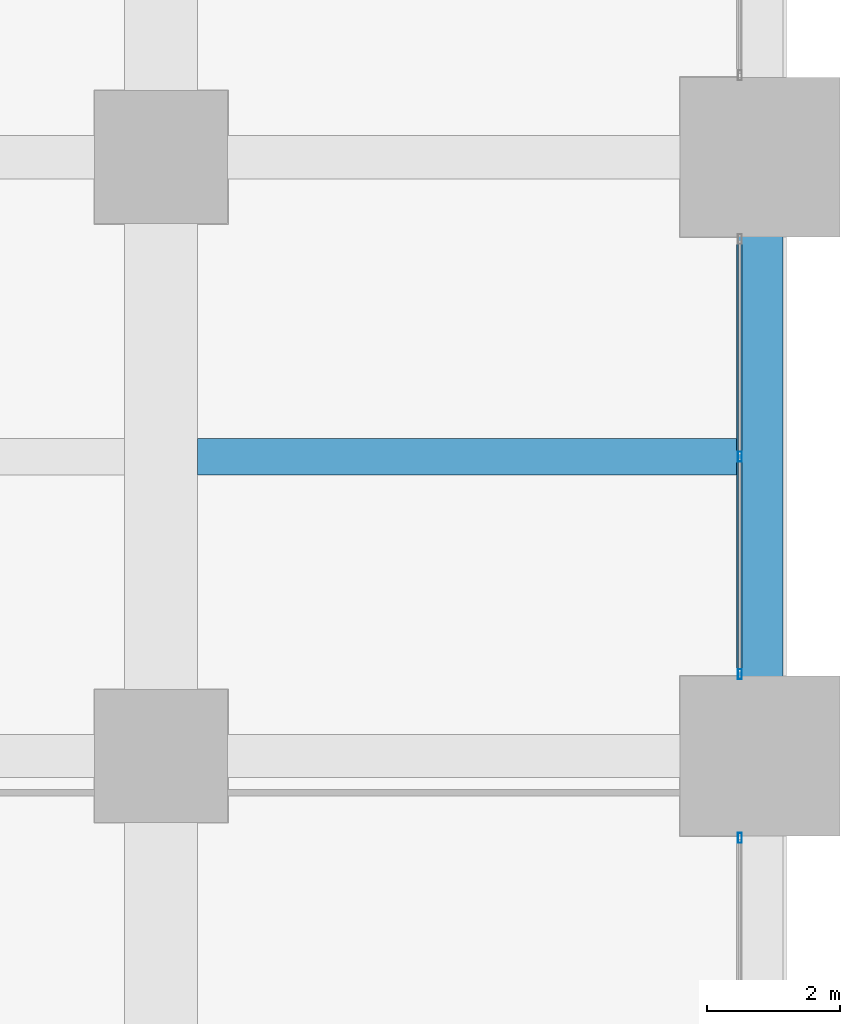
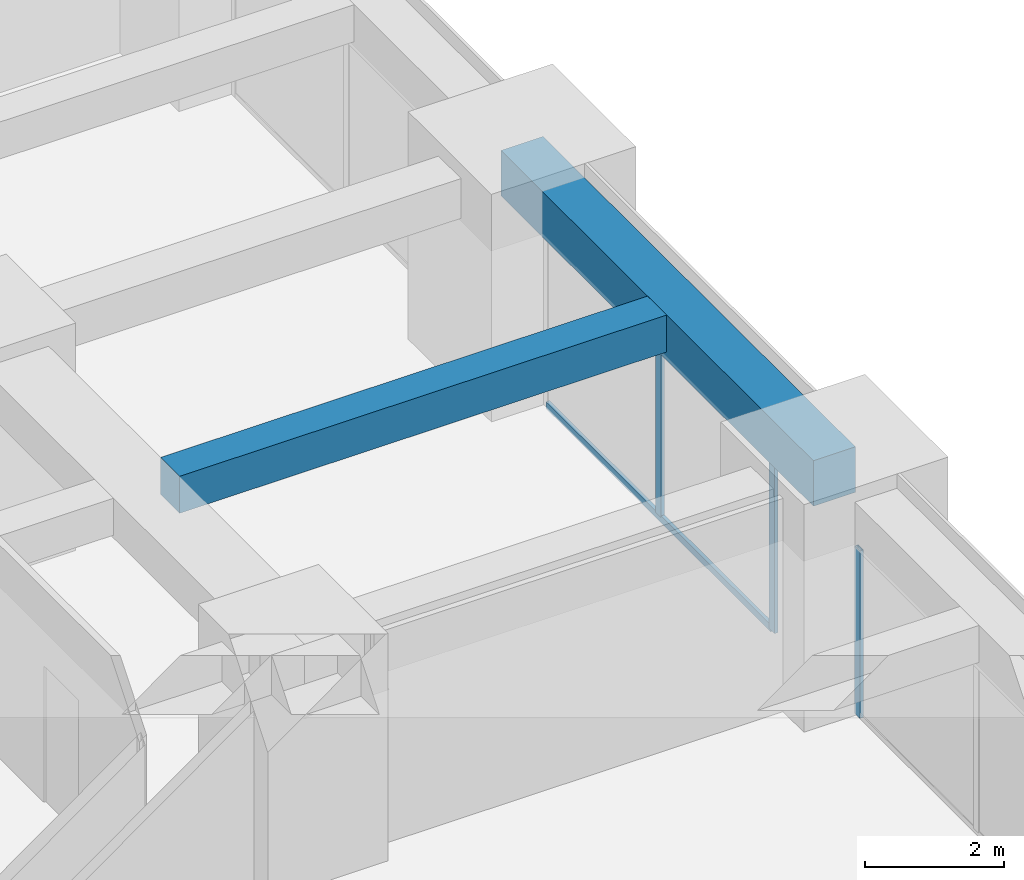
# One storey, part 21 of 41: 4 members, 2 beams, 2 elements without a shape of their own.
"""IFC4 building model written with IfcOpenShell, lengths in metres."""

from ifc_helpers import new_model, si_unit, direction, frame, origin, origin_2d, place, context, subcontext, project, spatial, rectangle, hollow_rectangle, extrude, material, material_profile, profile_set, type_object, element, aggregate, save


model = new_model("IFC4")

# Units and contexts
model_context = context("Model", 3, precision=1e-05, world=origin(), true_north=direction((0.0, 1.0)))
body_context = subcontext(model_context, "Body", "Model", "MODEL_VIEW")
ifc_project = project(units=[si_unit("LENGTHUNIT", "METRE"), si_unit("AREAUNIT", "SQUARE_METRE"), si_unit("VOLUMEUNIT", "CUBIC_METRE"), si_unit("PLANEANGLEUNIT", "RADIAN"), si_unit("MASSUNIT", "GRAM", prefix="KILO")], contexts=[model_context])

# Site, building, storey
site_placement = place(None, origin())
site = spatial("IfcSite", under=ifc_project, at=site_placement, CompositionType="ELEMENT")
building_placement = place(site_placement, origin())
building = spatial("IfcBuilding", under=site, at=building_placement, Name="Zorevar Civic Tower", CompositionType="ELEMENT")
storey_placement = place(building_placement, frame((0.0, 0.0, 97.0)))
storey = spatial("IfcBuildingStorey", under=building, at=storey_placement, Name="L23", CompositionType="ELEMENT", Elevation=97.0)

# Beam
ifc_material_1 = material(Name="Concrete C50/60", Category="concrete")
ifc_material_profile_1 = material_profile(ifc_material_1, rectangle(XDim=0.550048828125, YDim=0.64990234375, at=origin_2d()), Name="RC 550x650")
ifc_profile_set_1 = profile_set([ifc_material_profile_1], Name="Concrete C50/60")
beam_type_1 = type_object("IfcBeamType", Name="Beam RC 550x650", PredefinedType="BEAM", material=ifc_profile_set_1)
beam_1_placement = place(storey_placement, frame((54.550048828125, 22.5, 3.425048828125), z_axis=(1.0, 0.0, 0.0), x_axis=(0.0, 1.0, 0.0)))
element("IfcBeam", 1, at=beam_1_placement, inside=storey, type_object=beam_type_1, Name="Secondary beam L24", PredefinedType="BEAM", context=body_context, shape_type="SweptSolid", body=[
    extrude(rectangle(XDim=0.550048828125, YDim=0.64990234375, at=origin_2d()), origin(), (0.0, 0.0, 1.0), 8.099853515625),
])

# Curtain wall, member
ifc_material_2 = material(Name="Dark grey solar-control glass in black aluminium frame", Category="aluminium")
curtain_wall_type = type_object("IfcCurtainWallType", Name="Curtain wall CW3 mid zone", PredefinedType="NOTDEFINED", material=ifc_material_2)
curtain_wall_1_placement = place(storey_placement, origin())
curtain_wall_1 = element("IfcCurtainWall", 2, at=curtain_wall_1_placement, inside=storey, type_object=curtain_wall_type, Name="CW3 L23", PredefinedType="NOTDEFINED")
ifc_material_3 = material(Name="Aluminium, black anodised", Category="aluminium")
ifc_material_profile_2 = material_profile(ifc_material_3, hollow_rectangle(XDim=0.06005859375, YDim=0.14990234375, WallThickness=0.00390625, at=origin_2d()), Name="AL 150x60x4")
ifc_profile_set_2 = profile_set([ifc_material_profile_2], Name="Aluminium, black anodised")
member_type_1 = type_object("IfcMemberType", Name="CW3 mullion AL 150x60x4", PredefinedType="MULLION", material=ifc_profile_set_2)
member_1_placement = place(storey_placement, frame((62.699951171875, 16.77001953125, 0.0), z_axis=(0.0, 0.0, 1.0), x_axis=(-1.0, 0.0, 0.0)))
member_1 = element("IfcMember", 3, at=member_1_placement, type_object=member_type_1, Name="CW3 mullion 3", PredefinedType="MULLION", context=body_context, shape_type="SweptSolid", body=[
    extrude(hollow_rectangle(XDim=0.06005859375, YDim=0.14990234375, WallThickness=0.00390625, at=origin_2d()), origin(), (0.0, 0.0, 1.0), 2.949951171875),
])
aggregate(curtain_wall_1, [member_1])

# Curtain wall, members
curtain_wall_2_placement = place(storey_placement, origin())
curtain_wall_2 = element("IfcCurtainWall", 4, at=curtain_wall_2_placement, inside=storey, type_object=curtain_wall_type, Name="CW3 L23", PredefinedType="NOTDEFINED")
member_2_placement = place(storey_placement, frame((62.699951171875, 19.22998046875, 0.0), z_axis=(0.0, 0.0, 1.0), x_axis=(-1.0, 0.0, 0.0)))
member_2 = element("IfcMember", 5, at=member_2_placement, type_object=member_type_1, Name="CW3 mullion 1", PredefinedType="MULLION", context=body_context, shape_type="SweptSolid", body=[
    extrude(hollow_rectangle(XDim=0.06005859375, YDim=0.14990234375, WallThickness=0.00390625, at=origin_2d()), origin(), (0.0, 0.0, 1.0), 2.949951171875),
])
member_3_placement = place(storey_placement, frame((62.699951171875, 22.5, 0.06005859375), z_axis=(0.0, 0.0, 1.0), x_axis=(-1.0, 0.0, 0.0)))
member_3 = element("IfcMember", 6, at=member_3_placement, type_object=member_type_1, Name="CW3 mullion 2", PredefinedType="MULLION", context=body_context, shape_type="SweptSolid", body=[
    extrude(hollow_rectangle(XDim=0.06005859375, YDim=0.14990234375, WallThickness=0.00390625, at=origin_2d()), origin(), (0.0, 0.0, 1.0), 2.889892578125),
])
ifc_material_4 = material(Name="Aluminium, black anodised", Category="aluminium")
ifc_material_profile_3 = material_profile(ifc_material_4, hollow_rectangle(XDim=0.06005859375, YDim=0.1201171875, WallThickness=0.0029296875, at=origin_2d()), Name="AL 120x60x3")
ifc_profile_set_3 = profile_set([ifc_material_profile_3], Name="Aluminium, black anodised")
member_type_2 = type_object("IfcMemberType", Name="CW3 transom AL 120x60x3", PredefinedType="USERDEFINED", material=ifc_profile_set_3)
member_4_placement = place(storey_placement, frame((62.699951171875, 19.260009765625, 0.030029296875), z_axis=(0.0, 1.0, 0.0), x_axis=(-1.0, 0.0, 0.0)))
member_4 = element("IfcMember", 7, at=member_4_placement, type_object=member_type_2, Name="CW3 sill transom", ObjectType="TRANSOM", PredefinedType="USERDEFINED", context=body_context, shape_type="SweptSolid", body=[
    extrude(hollow_rectangle(XDim=0.06005859375, YDim=0.1201171875, WallThickness=0.0029296875, at=origin_2d()), origin(), (0.0, 0.0, 1.0), 6.47998046875),
])
aggregate(curtain_wall_2, [member_2, member_3, member_4])

# Beam
ifc_material_5 = material(Name="Concrete C50/60", Category="concrete")
ifc_material_profile_4 = material_profile(ifc_material_5, rectangle(XDim=0.699951171875, YDim=0.800048828125, at=origin_2d()), Name="RC 700x800")
ifc_profile_set_4 = profile_set([ifc_material_profile_4], Name="Concrete C50/60")
beam_type_2 = type_object("IfcBeamType", Name="Edge beam RC 700x800", PredefinedType="SPANDREL", material=ifc_profile_set_4)
beam_2_placement = place(storey_placement, frame((63.0, 18.0, 3.35009765625), z_axis=(0.0, 1.0, 0.0), x_axis=(-1.0, 0.0, 0.0)))
element("IfcBeam", 8, at=beam_2_placement, inside=storey, type_object=beam_type_2, Name="Edge beam L24", PredefinedType="SPANDREL", context=body_context, shape_type="SweptSolid", body=[
    extrude(rectangle(XDim=0.699951171875, YDim=0.800048828125, at=origin_2d()), origin(), (0.0, 0.0, 1.0), 9.0),
])

save(model, "model.ifc")
